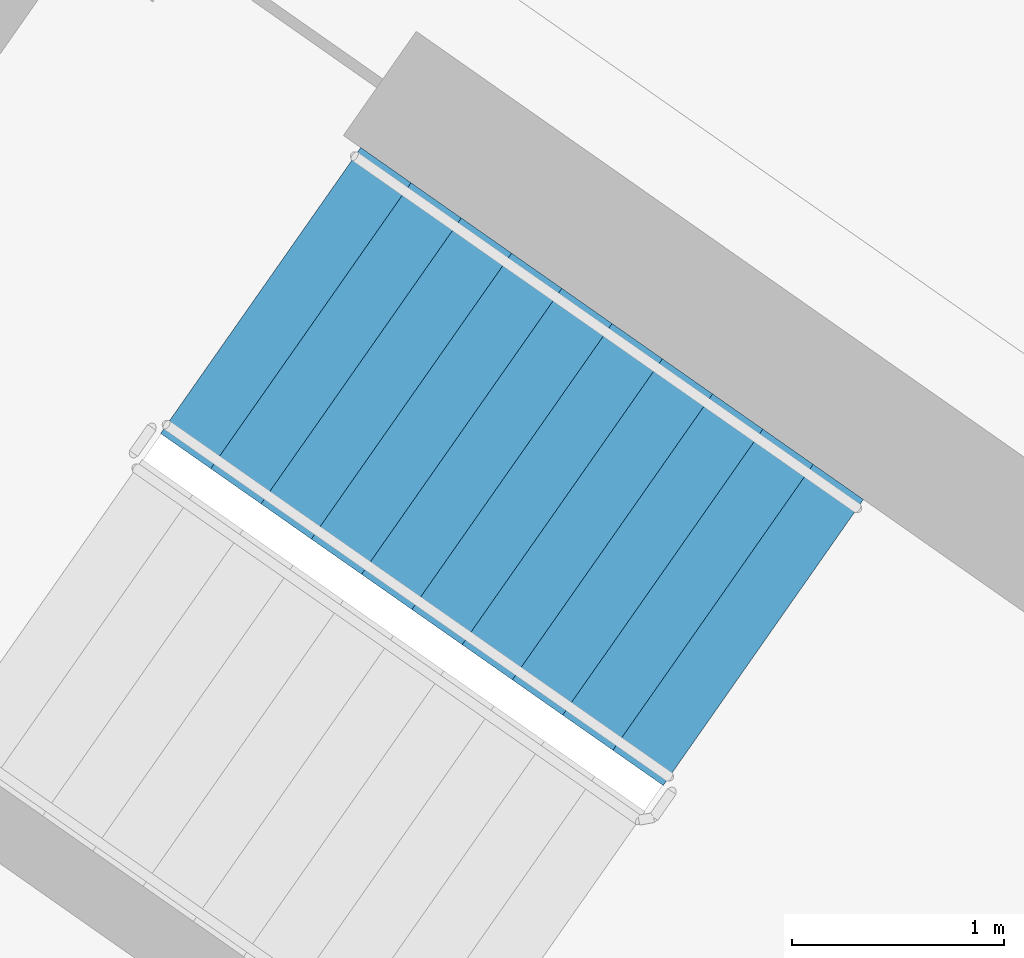
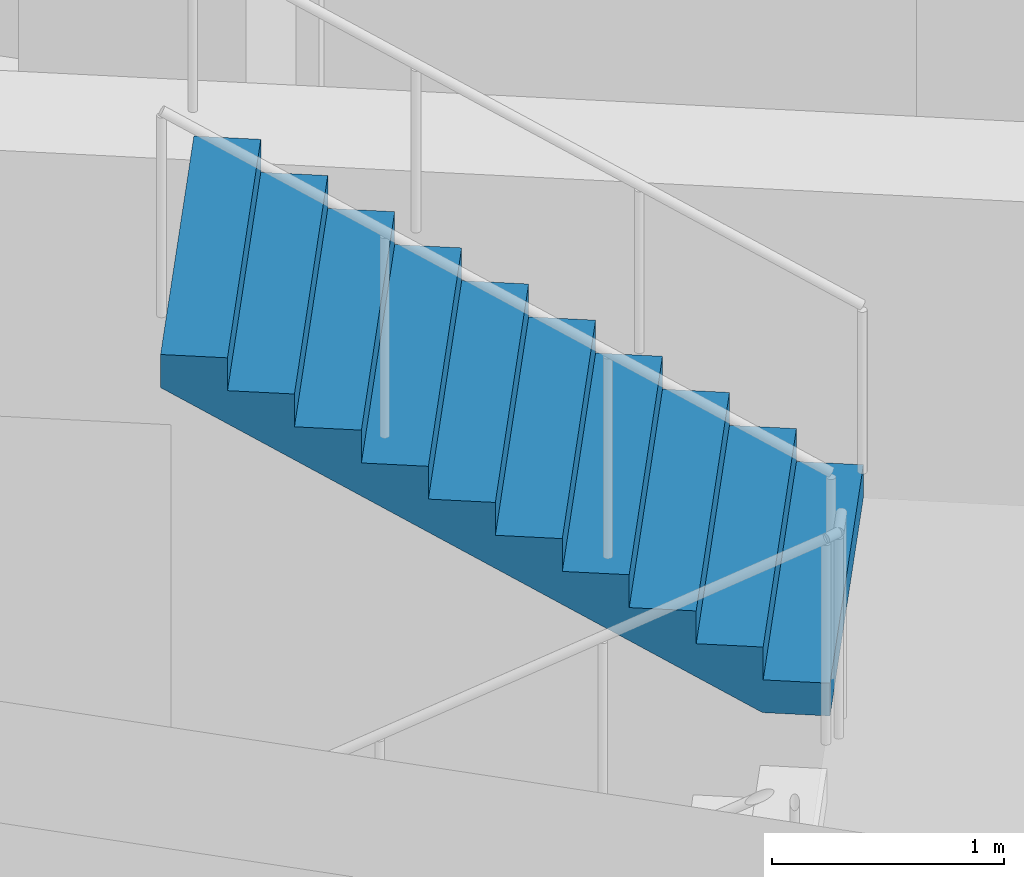
# One storey, part 12 of 28: 1 stair flight, 1 element without a shape of its own.
"""IFC4 building model written with IfcOpenShell, lengths in metres."""

import ifcopenshell
import ifcopenshell.guid

model = None  # the IFC model being written
_history = None  # IfcOwnerHistory: only IFC2X3 demands one
_inside = {}  # id of a spatial element -> (the spatial element, [elements in it])
_under = {}  # id of a project, library or spatial element -> (it, [spatial elements below it])
_declared = {}  # id of a project -> (the project, [libraries it declares])
_typed = {}  # id of a type object -> (the type object, [elements of that type])
_made_of = {}  # id of a material, layer set ... -> (it, [elements and type objects made of it])


def new_model(schema):
    """Start an empty IFC model of exactly this schema.

    Asked for "IFC4X3", IfcOpenShell would pick the latest addendum, in which some entities
    have other attributes; the version numbers below select the first issue.
    IFC2X3 requires an IfcOwnerHistory on every rooted entity: one is made here for all.
    """
    global model, _history
    if schema == "IFC4X3":
        model = ifcopenshell.file(schema_version=(4, 3, 0, 0))
    else:
        model = ifcopenshell.file(schema=schema)
    _inside.clear()
    _under.clear()
    _declared.clear()
    _typed.clear()
    _made_of.clear()
    _history = None
    if model.schema == "IFC2X3":
        org = make("IfcOrganization", Name="unknown")
        user = make(
            "IfcPersonAndOrganization",
            ThePerson=make("IfcPerson", FamilyName="unknown"),
            TheOrganization=org,
        )
        app = make(
            "IfcApplication",
            ApplicationDeveloper=org,
            Version="unknown",
            ApplicationFullName="unknown",
            ApplicationIdentifier="unknown",
        )
        _history = make(
            "IfcOwnerHistory",
            OwningUser=user,
            OwningApplication=app,
            ChangeAction="ADDED",
            CreationDate=0,
        )
    return model


def make(cls, **values):
    """One entity of the class cls with the attributes given. An attribute that is None is left unset."""
    return model.create_entity(
        cls, **{name: value for name, value in values.items() if value is not None}
    )


def rooted(cls, **values):
    """An entity with a GlobalId (a new one), such as an element, a storey or a relation."""
    return make(cls, GlobalId=ifcopenshell.guid.new(), OwnerHistory=_history, **values)


def si_unit(unit_type, name, prefix=None):
    """IfcSIUnit, for example si_unit("LENGTHUNIT", "METRE", prefix="MILLI")."""
    return make("IfcSIUnit", UnitType=unit_type, Prefix=prefix, Name=name)


def assignment(units):
    """IfcUnitAssignment: the units of a project."""
    return None if units is None else make("IfcUnitAssignment", Units=units)


def point(xyz):
    """IfcCartesianPoint."""
    return None if xyz is None else make("IfcCartesianPoint", Coordinates=xyz)


def direction(xyz):
    """IfcDirection."""
    return None if xyz is None else make("IfcDirection", DirectionRatios=xyz)


def frame(location, z_axis=None, x_axis=None):
    """IfcAxis2Placement3D, a coordinate frame: its origin and axes. An axis left out is left unset."""
    return make(
        "IfcAxis2Placement3D",
        Location=point(location),
        Axis=direction(z_axis),
        RefDirection=direction(x_axis),
    )


def origin():
    """The frame at (0, 0, 0) with its axes left unset."""
    return frame((0.0, 0.0, 0.0))


def place(relative_to, where):
    """IfcLocalPlacement: puts the frame where relative to a parent placement (None: the world)."""
    return make(
        "IfcLocalPlacement", PlacementRelTo=relative_to, RelativePlacement=where
    )


def context(
    kind, dimensions, precision=None, world=None, true_north=None, identifier=None
):
    """IfcGeometricRepresentationContext, for example the 3D "Model" context."""
    return make(
        "IfcGeometricRepresentationContext",
        ContextIdentifier=identifier,
        ContextType=kind,
        CoordinateSpaceDimension=dimensions,
        Precision=precision,
        WorldCoordinateSystem=world,
        TrueNorth=true_north,
    )


def subcontext(parent, identifier, kind, view, scale=None):
    """IfcGeometricRepresentationSubContext, for example "Body" below "Model"."""
    return make(
        "IfcGeometricRepresentationSubContext",
        ContextIdentifier=identifier,
        ContextType=kind,
        ParentContext=parent,
        TargetScale=scale,
        TargetView=view,
    )


def project(units=None, contexts=None):
    """IfcProject with its units and contexts."""
    return rooted(
        "IfcProject",
        Name="project",
        RepresentationContexts=contexts,
        UnitsInContext=assignment(units),
    )


def spatial(cls, under=None, at=None, **own):
    """A site, building, storey or space (cls), placed at a placement, below another one or the project."""
    s = rooted(cls, ObjectPlacement=at, **own)
    if under is not None:
        _under.setdefault(under.id(), (under, []))[1].append(s)
    return s


def faces_of(points, faces, orient=None, outer=None):
    """IfcFace entities. A face is a list of loops; a loop is a list of indices into points, from 0.

    orient and outer hold one flag for each loop. By default every Orientation is true, the
    first loop of a face is its IfcFaceOuterBound and the others are IfcFaceBound.
    """
    made = []
    for i, loops in enumerate(faces):
        bounds = []
        for j, loop in enumerate(loops):
            is_outer = j == 0 if outer is None else outer[i][j]
            bounds.append(
                make(
                    "IfcFaceOuterBound" if is_outer else "IfcFaceBound",
                    Bound=make("IfcPolyLoop", Polygon=[points[k] for k in loop]),
                    Orientation=True if orient is None else orient[i][j],
                )
            )
        made.append(make("IfcFace", Bounds=bounds))
    return made


def faceted_brep(points, faces, orient=None, outer=None, voids=None):
    """IfcFacetedBrep: a solid bounded by flat faces; with voids (closed shells), ...WithVoids."""
    shared = [point(p) for p in points]
    hull = make("IfcClosedShell", CfsFaces=faces_of(shared, faces, orient, outer))
    if voids is None:
        return make("IfcFacetedBrep", Outer=hull)
    return make(
        "IfcFacetedBrepWithVoids",
        Outer=hull,
        Voids=[
            make(cls, CfsFaces=faces_of(shared, fs, o, b)) for cls, fs, o, b in voids
        ],
    )


def shape(context_of_items, identifier, shape_type, items):
    """IfcShapeRepresentation: the items that make up one representation, for example the "Body"."""
    return make(
        "IfcShapeRepresentation",
        ContextOfItems=context_of_items,
        RepresentationIdentifier=identifier,
        RepresentationType=shape_type,
        Items=items,
    )


def material(Name=None, Category=None):
    """IfcMaterial."""
    return make("IfcMaterial", Name=Name, Category=Category)


def made_of(thing, what):
    """Note that an element or type object is made of a material, layer set ...; save() writes the relation."""
    if what is not None:
        _made_of.setdefault(what.id(), (what, []))[1].append(thing)
    return thing


def type_object(cls, material=None, **own):
    """A type object (cls), such as IfcWallType, which elements share."""
    return made_of(rooted(cls, **own), material)


def element(
    cls,
    number,
    at=None,
    inside=None,
    cuts=None,
    type_object=None,
    material=None,
    context=None,
    identifier="Body",
    shape_type=None,
    held_by="IfcProductDefinitionShape",
    body=None,
    shapes=None,
    **own,
):
    """One element of the class cls, such as IfcWall. Its Tag is "e" and its number.

    at: its placement. inside: the storey or other place that contains it. cuts: it is an
    opening in that element (IfcRelVoidsElement). A single representation is given by context,
    identifier, shape_type and body (its items); several are given by shapes. held_by: the class
    of the entity that holds the representations. save() writes the other relations.
    """
    e = rooted(cls, Tag="e%d" % number, ObjectPlacement=at, **own)
    if body is not None:
        shapes = [shape(context, identifier, shape_type, body)]
    if shapes is not None:
        e.Representation = make(held_by, Representations=shapes)
    if inside is not None:
        _inside.setdefault(inside.id(), (inside, []))[1].append(e)
    if cuts is not None:
        rooted(
            "IfcRelVoidsElement", RelatingBuildingElement=cuts, RelatedOpeningElement=e
        )
    if type_object is not None:
        _typed.setdefault(type_object.id(), (type_object, []))[1].append(e)
    return made_of(e, material)


def aggregate(whole, parts):
    """IfcRelAggregates: a whole, such as a stair, and the parts it consists of."""
    return rooted("IfcRelAggregates", RelatingObject=whole, RelatedObjects=parts)


def save(model, path):
    """Write the relations noted so far, then the file.

    IfcRelAggregates (storeys below a building ...), IfcRelContainedInSpatialStructure (elements
    in a storey), IfcRelDefinesByType, IfcRelAssociatesMaterial and IfcRelDeclares: one each for
    every whole, place, type object, material and project.
    """
    for whole, parts in _under.values():
        aggregate(whole, parts)
    for where, things in _inside.values():
        rooted(
            "IfcRelContainedInSpatialStructure",
            RelatedElements=things,
            RelatingStructure=where,
        )
    for kind, things in _typed.values():
        rooted("IfcRelDefinesByType", RelatedObjects=things, RelatingType=kind)
    for what, things in _made_of.values():
        rooted("IfcRelAssociatesMaterial", RelatedObjects=things, RelatingMaterial=what)
    for by, libraries in _declared.values():
        rooted("IfcRelDeclares", RelatingContext=by, RelatedDefinitions=libraries)
    model.write(path)


model = new_model("IFC4")

# Units and contexts
model_context = context("Model", 3, precision=1e-05, world=origin(), true_north=direction((0.0, 1.0)))
body_context = subcontext(model_context, "Body", "Model", "MODEL_VIEW")
ifc_project = project(units=[si_unit("LENGTHUNIT", "METRE"), si_unit("AREAUNIT", "SQUARE_METRE"), si_unit("VOLUMEUNIT", "CUBIC_METRE"), si_unit("PLANEANGLEUNIT", "RADIAN"), si_unit("MASSUNIT", "GRAM", prefix="KILO")], contexts=[model_context])

# Site, building, storey
site_placement = place(None, origin())
site = spatial("IfcSite", under=ifc_project, at=site_placement, CompositionType="ELEMENT")
building_placement = place(site_placement, origin())
building = spatial("IfcBuilding", under=site, at=building_placement, Name="Qamariyya Broadcast Tower", CompositionType="ELEMENT")
storey_placement = place(building_placement, frame((0.0, 0.0, 226.5)))
storey = spatial("IfcBuildingStorey", under=building, at=storey_placement, Name="L54", CompositionType="ELEMENT", Elevation=226.5)

# Stair, stair flight
ifc_material = material(Name="Concrete C50/60", Category="concrete")
stair_type = type_object("IfcStairType", Name="Exit stair 22 risers of 173 mm", PredefinedType="HALF_TURN_STAIR", material=ifc_material)
stair_placement = place(storey_placement, origin())
stair = element("IfcStair", 1, at=stair_placement, inside=storey, type_object=stair_type, Name="L54 Stair W2", PredefinedType="HALF_TURN_STAIR")
stair_flight_type = type_object("IfcStairFlightType", Name="Exit stair flight 11 risers of 173 mm", PredefinedType="STRAIGHT", material=ifc_material)
stair_flight_placement = place(storey_placement, frame((-38.18310546875, -49.3486328125, 1.89990234375), z_axis=(0.0, 0.0, 1.0), x_axis=(-0.819152044289, 0.573576436351, 0.0)))
stair_flight = element("IfcStairFlight", 2, at=stair_flight_placement, type_object=stair_flight_type, Name="ST-W2 flight 2", NumberOfRisers=11, NumberOfTreads=10, PredefinedType="STRAIGHT", RiserHeight=0.172727273, TreadLength=0.29, context=body_context, shape_type="Brep", body=[
    faceted_brep([(0.0, 0.824951171875, 0.0), (0.0, 0.824951171875, 0.172607421875), (0.2900390625, 0.824951171875, 0.172607421875), (0.2900390625, 0.824951171875, 0.345458984375), (0.580078125, 0.824951171875, 0.345458984375), (0.580078125, 0.824951171875, 0.51806640625), (0.8701171875, 0.824951171875, 0.51806640625), (0.8701171875, 0.824951171875, 0.69091796875), (1.159912109375, 0.824951171875, 0.69091796875), (1.159912109375, 0.824951171875, 0.863525390625), (1.449951171875, 0.824951171875, 0.863525390625), (1.449951171875, 0.824951171875, 1.036376953125), (1.739990234375, 0.824951171875, 1.036376953125), (1.739990234375, 0.824951171875, 1.208984375), (2.030029296875, 0.824951171875, 1.208984375), (2.030029296875, 0.824951171875, 1.3818359375), (2.320068359375, 0.824951171875, 1.3818359375), (2.320068359375, 0.824951171875, 1.554443359375), (2.610107421875, 0.824951171875, 1.554443359375), (2.610107421875, 0.824951171875, 1.727294921875), (2.89990234375, 0.824951171875, 1.727294921875), (2.89990234375, 0.824951171875, 1.552734375), (0.29296875, 0.824951171875, 0.0), (0.29296875, -0.824951171875, 0.0), (2.89990234375, -0.824951171875, 1.552734375), (2.89990234375, -0.824951171875, 1.727294921875), (2.610107421875, -0.824951171875, 1.727294921875), (2.610107421875, -0.824951171875, 1.554443359375), (2.320068359375, -0.824951171875, 1.554443359375), (2.320068359375, -0.824951171875, 1.3818359375), (2.030029296875, -0.824951171875, 1.3818359375), (2.030029296875, -0.824951171875, 1.208984375), (1.739990234375, -0.824951171875, 1.208984375), (1.739990234375, -0.824951171875, 1.036376953125), (1.449951171875, -0.824951171875, 1.036376953125), (1.449951171875, -0.824951171875, 0.863525390625), (1.159912109375, -0.824951171875, 0.863525390625), (1.159912109375, -0.824951171875, 0.69091796875), (0.8701171875, -0.824951171875, 0.69091796875), (0.8701171875, -0.824951171875, 0.51806640625), (0.580078125, -0.824951171875, 0.51806640625), (0.580078125, -0.824951171875, 0.345458984375), (0.2900390625, -0.824951171875, 0.345458984375), (0.2900390625, -0.824951171875, 0.172607421875), (0.0, -0.824951171875, 0.172607421875), (0.0, -0.824951171875, 0.0), (0.0, 0.10009765625, 0.0), (0.0, 0.086669921875, 0.0), (0.0, 0.0732421875, 0.0), (0.0, 0.06005859375, 0.0), (0.0, 0.046630859375, 0.0), (0.0, 0.033447265625, 0.0), (0.0, 0.02001953125, 0.0), (0.0, 0.006591796875, 0.0), (0.0, -0.006591796875, 0.0), (0.0, -0.02001953125, 0.0), (0.0, -0.033447265625, 0.0), (0.0, -0.046630859375, 0.0), (0.0, -0.06005859375, 0.0), (0.0, -0.0732421875, 0.0), (0.0, -0.086669921875, 0.0), (0.0, -0.10009765625, 0.0), (0.0, -0.10009765625, 0.172607421875), (0.0, -0.086669921875, 0.172607421875), (0.0, -0.0732421875, 0.172607421875), (0.0, -0.06005859375, 0.172607421875), (0.0, -0.046630859375, 0.172607421875), (0.0, -0.033447265625, 0.172607421875), (0.0, -0.02001953125, 0.172607421875), (0.0, -0.006591796875, 0.172607421875), (0.0, 0.006591796875, 0.172607421875), (0.0, 0.02001953125, 0.172607421875), (0.0, 0.033447265625, 0.172607421875), (0.0, 0.046630859375, 0.172607421875), (0.0, 0.06005859375, 0.172607421875), (0.0, 0.0732421875, 0.172607421875), (0.0, 0.086669921875, 0.172607421875), (0.0, 0.10009765625, 0.172607421875), (0.2900390625, -0.10009765625, 0.172607421875), (0.2900390625, -0.086669921875, 0.172607421875), (0.2900390625, -0.0732421875, 0.172607421875), (0.2900390625, -0.06005859375, 0.172607421875), (0.2900390625, -0.046630859375, 0.172607421875), (0.2900390625, -0.033447265625, 0.172607421875), (0.2900390625, -0.02001953125, 0.172607421875), (0.2900390625, -0.006591796875, 0.172607421875), (0.2900390625, 0.006591796875, 0.172607421875), (0.2900390625, 0.02001953125, 0.172607421875), (0.2900390625, 0.033447265625, 0.172607421875), (0.2900390625, 0.046630859375, 0.172607421875), (0.2900390625, 0.06005859375, 0.172607421875), (0.2900390625, 0.0732421875, 0.172607421875), (0.2900390625, 0.086669921875, 0.172607421875), (0.2900390625, 0.10009765625, 0.172607421875), (0.2900390625, -0.10009765625, 0.345458984375), (0.2900390625, -0.086669921875, 0.345458984375), (0.2900390625, -0.0732421875, 0.345458984375), (0.2900390625, -0.06005859375, 0.345458984375), (0.2900390625, -0.046630859375, 0.345458984375), (0.2900390625, -0.033447265625, 0.345458984375), (0.2900390625, -0.02001953125, 0.345458984375), (0.2900390625, -0.006591796875, 0.345458984375), (0.2900390625, 0.006591796875, 0.345458984375), (0.2900390625, 0.02001953125, 0.345458984375), (0.2900390625, 0.033447265625, 0.345458984375), (0.2900390625, 0.046630859375, 0.345458984375), (0.2900390625, 0.06005859375, 0.345458984375), (0.2900390625, 0.0732421875, 0.345458984375), (0.2900390625, 0.086669921875, 0.345458984375), (0.2900390625, 0.10009765625, 0.345458984375), (0.580078125, -0.10009765625, 0.345458984375), (0.580078125, -0.086669921875, 0.345458984375), (0.580078125, -0.0732421875, 0.345458984375), (0.580078125, -0.06005859375, 0.345458984375), (0.580078125, -0.046630859375, 0.345458984375), (0.580078125, -0.033447265625, 0.345458984375), (0.580078125, -0.02001953125, 0.345458984375), (0.580078125, -0.006591796875, 0.345458984375), (0.580078125, 0.006591796875, 0.345458984375), (0.580078125, 0.02001953125, 0.345458984375), (0.580078125, 0.033447265625, 0.345458984375), (0.580078125, 0.046630859375, 0.345458984375), (0.580078125, 0.06005859375, 0.345458984375), (0.580078125, 0.0732421875, 0.345458984375), (0.580078125, 0.086669921875, 0.345458984375), (0.580078125, 0.10009765625, 0.345458984375), (0.580078125, -0.10009765625, 0.51806640625), (0.580078125, -0.086669921875, 0.51806640625), (0.580078125, -0.0732421875, 0.51806640625), (0.580078125, -0.06005859375, 0.51806640625), (0.580078125, -0.046630859375, 0.51806640625), (0.580078125, -0.033447265625, 0.51806640625), (0.580078125, -0.02001953125, 0.51806640625), (0.580078125, -0.006591796875, 0.51806640625), (0.580078125, 0.006591796875, 0.51806640625), (0.580078125, 0.02001953125, 0.51806640625), (0.580078125, 0.033447265625, 0.51806640625), (0.580078125, 0.046630859375, 0.51806640625), (0.580078125, 0.06005859375, 0.51806640625), (0.580078125, 0.0732421875, 0.51806640625), (0.580078125, 0.086669921875, 0.51806640625), (0.580078125, 0.10009765625, 0.51806640625), (0.8701171875, -0.10009765625, 0.51806640625), (0.8701171875, -0.086669921875, 0.51806640625), (0.8701171875, -0.0732421875, 0.51806640625), (0.8701171875, -0.06005859375, 0.51806640625), (0.8701171875, -0.046630859375, 0.51806640625), (0.8701171875, -0.033447265625, 0.51806640625), (0.8701171875, -0.02001953125, 0.51806640625), (0.8701171875, -0.006591796875, 0.51806640625), (0.8701171875, 0.006591796875, 0.51806640625), (0.8701171875, 0.02001953125, 0.51806640625), (0.8701171875, 0.033447265625, 0.51806640625), (0.8701171875, 0.046630859375, 0.51806640625), (0.8701171875, 0.06005859375, 0.51806640625), (0.8701171875, 0.0732421875, 0.51806640625), (0.8701171875, 0.086669921875, 0.51806640625), (0.8701171875, 0.10009765625, 0.51806640625), (0.8701171875, -0.10009765625, 0.69091796875), (0.8701171875, -0.086669921875, 0.69091796875), (0.8701171875, -0.0732421875, 0.69091796875), (0.8701171875, -0.06005859375, 0.69091796875), (0.8701171875, -0.046630859375, 0.69091796875), (0.8701171875, -0.033447265625, 0.69091796875), (0.8701171875, -0.02001953125, 0.69091796875), (0.8701171875, -0.006591796875, 0.69091796875), (0.8701171875, 0.006591796875, 0.69091796875), (0.8701171875, 0.02001953125, 0.69091796875), (0.8701171875, 0.033447265625, 0.69091796875), (0.8701171875, 0.046630859375, 0.69091796875), (0.8701171875, 0.06005859375, 0.69091796875), (0.8701171875, 0.0732421875, 0.69091796875), (0.8701171875, 0.086669921875, 0.69091796875), (0.8701171875, 0.10009765625, 0.69091796875), (1.159912109375, -0.10009765625, 0.69091796875), (1.159912109375, -0.086669921875, 0.69091796875), (1.159912109375, -0.0732421875, 0.69091796875), (1.159912109375, -0.06005859375, 0.69091796875), (1.159912109375, -0.046630859375, 0.69091796875), (1.159912109375, -0.033447265625, 0.69091796875), (1.159912109375, -0.02001953125, 0.69091796875), (1.159912109375, -0.006591796875, 0.69091796875), (1.159912109375, 0.006591796875, 0.69091796875), (1.159912109375, 0.02001953125, 0.69091796875), (1.159912109375, 0.033447265625, 0.69091796875), (1.159912109375, 0.046630859375, 0.69091796875), (1.159912109375, 0.06005859375, 0.69091796875), (1.159912109375, 0.0732421875, 0.69091796875), (1.159912109375, 0.086669921875, 0.69091796875), (1.159912109375, 0.10009765625, 0.69091796875), (1.159912109375, -0.10009765625, 0.863525390625), (1.159912109375, -0.086669921875, 0.863525390625), (1.159912109375, -0.0732421875, 0.863525390625), (1.159912109375, -0.06005859375, 0.863525390625), (1.159912109375, -0.046630859375, 0.863525390625), (1.159912109375, -0.033447265625, 0.863525390625), (1.159912109375, -0.02001953125, 0.863525390625), (1.159912109375, -0.006591796875, 0.863525390625), (1.159912109375, 0.006591796875, 0.863525390625), (1.159912109375, 0.02001953125, 0.863525390625), (1.159912109375, 0.033447265625, 0.863525390625), (1.159912109375, 0.046630859375, 0.863525390625), (1.159912109375, 0.06005859375, 0.863525390625), (1.159912109375, 0.0732421875, 0.863525390625), (1.159912109375, 0.086669921875, 0.863525390625), (1.159912109375, 0.10009765625, 0.863525390625), (1.449951171875, -0.10009765625, 0.863525390625), (1.449951171875, -0.086669921875, 0.863525390625), (1.449951171875, -0.0732421875, 0.863525390625), (1.449951171875, -0.06005859375, 0.863525390625), (1.449951171875, -0.046630859375, 0.863525390625), (1.449951171875, -0.033447265625, 0.863525390625), (1.449951171875, -0.02001953125, 0.863525390625), (1.449951171875, -0.006591796875, 0.863525390625), (1.449951171875, 0.006591796875, 0.863525390625), (1.449951171875, 0.02001953125, 0.863525390625), (1.449951171875, 0.033447265625, 0.863525390625), (1.449951171875, 0.046630859375, 0.863525390625), (1.449951171875, 0.06005859375, 0.863525390625), (1.449951171875, 0.0732421875, 0.863525390625), (1.449951171875, 0.086669921875, 0.863525390625), (1.449951171875, 0.10009765625, 0.863525390625), (1.449951171875, -0.10009765625, 1.036376953125), (1.449951171875, -0.086669921875, 1.036376953125), (1.449951171875, -0.0732421875, 1.036376953125), (1.449951171875, -0.06005859375, 1.036376953125), (1.449951171875, -0.046630859375, 1.036376953125), (1.449951171875, -0.033447265625, 1.036376953125), (1.449951171875, -0.02001953125, 1.036376953125), (1.449951171875, -0.006591796875, 1.036376953125), (1.449951171875, 0.006591796875, 1.036376953125), (1.449951171875, 0.02001953125, 1.036376953125), (1.449951171875, 0.033447265625, 1.036376953125), (1.449951171875, 0.046630859375, 1.036376953125), (1.449951171875, 0.06005859375, 1.036376953125), (1.449951171875, 0.0732421875, 1.036376953125), (1.449951171875, 0.086669921875, 1.036376953125), (1.449951171875, 0.10009765625, 1.036376953125), (1.739990234375, -0.10009765625, 1.036376953125), (1.739990234375, -0.086669921875, 1.036376953125), (1.739990234375, -0.0732421875, 1.036376953125), (1.739990234375, -0.06005859375, 1.036376953125), (1.739990234375, -0.046630859375, 1.036376953125), (1.739990234375, -0.033447265625, 1.036376953125), (1.739990234375, -0.02001953125, 1.036376953125), (1.739990234375, -0.006591796875, 1.036376953125), (1.739990234375, 0.006591796875, 1.036376953125), (1.739990234375, 0.02001953125, 1.036376953125), (1.739990234375, 0.033447265625, 1.036376953125), (1.739990234375, 0.046630859375, 1.036376953125), (1.739990234375, 0.06005859375, 1.036376953125), (1.739990234375, 0.0732421875, 1.036376953125), (1.739990234375, 0.086669921875, 1.036376953125), (1.739990234375, 0.10009765625, 1.036376953125), (1.739990234375, -0.10009765625, 1.208984375), (1.739990234375, -0.086669921875, 1.208984375), (1.739990234375, -0.0732421875, 1.208984375), (1.739990234375, -0.06005859375, 1.208984375), (1.739990234375, -0.046630859375, 1.208984375), (1.739990234375, -0.033447265625, 1.208984375), (1.739990234375, -0.02001953125, 1.208984375), (1.739990234375, -0.006591796875, 1.208984375), (1.739990234375, 0.006591796875, 1.208984375), (1.739990234375, 0.02001953125, 1.208984375), (1.739990234375, 0.033447265625, 1.208984375), (1.739990234375, 0.046630859375, 1.208984375), (1.739990234375, 0.06005859375, 1.208984375), (1.739990234375, 0.0732421875, 1.208984375), (1.739990234375, 0.086669921875, 1.208984375), (1.739990234375, 0.10009765625, 1.208984375), (2.030029296875, -0.10009765625, 1.208984375), (2.030029296875, -0.086669921875, 1.208984375), (2.030029296875, -0.0732421875, 1.208984375), (2.030029296875, -0.06005859375, 1.208984375), (2.030029296875, -0.046630859375, 1.208984375), (2.030029296875, -0.033447265625, 1.208984375), (2.030029296875, -0.02001953125, 1.208984375), (2.030029296875, -0.006591796875, 1.208984375), (2.030029296875, 0.006591796875, 1.208984375), (2.030029296875, 0.02001953125, 1.208984375), (2.030029296875, 0.033447265625, 1.208984375), (2.030029296875, 0.046630859375, 1.208984375), (2.030029296875, 0.06005859375, 1.208984375), (2.030029296875, 0.0732421875, 1.208984375), (2.030029296875, 0.086669921875, 1.208984375), (2.030029296875, 0.10009765625, 1.208984375), (2.030029296875, -0.10009765625, 1.3818359375), (2.030029296875, -0.086669921875, 1.3818359375), (2.030029296875, -0.0732421875, 1.3818359375), (2.030029296875, -0.06005859375, 1.3818359375), (2.030029296875, -0.046630859375, 1.3818359375), (2.030029296875, -0.033447265625, 1.3818359375), (2.030029296875, -0.02001953125, 1.3818359375), (2.030029296875, -0.006591796875, 1.3818359375), (2.030029296875, 0.006591796875, 1.3818359375), (2.030029296875, 0.02001953125, 1.3818359375), (2.030029296875, 0.033447265625, 1.3818359375), (2.030029296875, 0.046630859375, 1.3818359375), (2.030029296875, 0.06005859375, 1.3818359375), (2.030029296875, 0.0732421875, 1.3818359375), (2.030029296875, 0.086669921875, 1.3818359375), (2.030029296875, 0.10009765625, 1.3818359375), (2.320068359375, -0.10009765625, 1.3818359375), (2.320068359375, -0.086669921875, 1.3818359375), (2.320068359375, -0.0732421875, 1.3818359375), (2.320068359375, -0.06005859375, 1.3818359375), (2.320068359375, -0.046630859375, 1.3818359375), (2.320068359375, -0.033447265625, 1.3818359375), (2.320068359375, -0.02001953125, 1.3818359375), (2.320068359375, -0.006591796875, 1.3818359375), (2.320068359375, 0.006591796875, 1.3818359375), (2.320068359375, 0.02001953125, 1.3818359375), (2.320068359375, 0.033447265625, 1.3818359375), (2.320068359375, 0.046630859375, 1.3818359375), (2.320068359375, 0.06005859375, 1.3818359375), (2.320068359375, 0.0732421875, 1.3818359375), (2.320068359375, 0.086669921875, 1.3818359375), (2.320068359375, 0.10009765625, 1.3818359375), (2.320068359375, -0.10009765625, 1.554443359375), (2.320068359375, -0.086669921875, 1.554443359375), (2.320068359375, -0.0732421875, 1.554443359375), (2.320068359375, -0.06005859375, 1.554443359375), (2.320068359375, -0.046630859375, 1.554443359375), (2.320068359375, -0.033447265625, 1.554443359375), (2.320068359375, -0.02001953125, 1.554443359375), (2.320068359375, -0.006591796875, 1.554443359375), (2.320068359375, 0.006591796875, 1.554443359375), (2.320068359375, 0.02001953125, 1.554443359375), (2.320068359375, 0.033447265625, 1.554443359375), (2.320068359375, 0.046630859375, 1.554443359375), (2.320068359375, 0.06005859375, 1.554443359375), (2.320068359375, 0.0732421875, 1.554443359375), (2.320068359375, 0.086669921875, 1.554443359375), (2.320068359375, 0.10009765625, 1.554443359375), (2.610107421875, -0.10009765625, 1.554443359375), (2.610107421875, -0.086669921875, 1.554443359375), (2.610107421875, -0.0732421875, 1.554443359375), (2.610107421875, -0.06005859375, 1.554443359375), (2.610107421875, -0.046630859375, 1.554443359375), (2.610107421875, -0.033447265625, 1.554443359375), (2.610107421875, -0.02001953125, 1.554443359375), (2.610107421875, -0.006591796875, 1.554443359375), (2.610107421875, 0.006591796875, 1.554443359375), (2.610107421875, 0.02001953125, 1.554443359375), (2.610107421875, 0.033447265625, 1.554443359375), (2.610107421875, 0.046630859375, 1.554443359375), (2.610107421875, 0.06005859375, 1.554443359375), (2.610107421875, 0.0732421875, 1.554443359375), (2.610107421875, 0.086669921875, 1.554443359375), (2.610107421875, 0.10009765625, 1.554443359375), (2.610107421875, -0.10009765625, 1.727294921875), (2.610107421875, -0.086669921875, 1.727294921875), (2.610107421875, -0.0732421875, 1.727294921875), (2.610107421875, -0.06005859375, 1.727294921875), (2.610107421875, -0.046630859375, 1.727294921875), (2.610107421875, -0.033447265625, 1.727294921875), (2.610107421875, -0.02001953125, 1.727294921875), (2.610107421875, -0.006591796875, 1.727294921875), (2.610107421875, 0.006591796875, 1.727294921875), (2.610107421875, 0.02001953125, 1.727294921875), (2.610107421875, 0.033447265625, 1.727294921875), (2.610107421875, 0.046630859375, 1.727294921875), (2.610107421875, 0.06005859375, 1.727294921875), (2.610107421875, 0.0732421875, 1.727294921875), (2.610107421875, 0.086669921875, 1.727294921875), (2.610107421875, 0.10009765625, 1.727294921875), (2.89990234375, -0.10009765625, 1.727294921875), (2.89990234375, -0.086669921875, 1.727294921875), (2.89990234375, -0.0732421875, 1.727294921875), (2.89990234375, -0.06005859375, 1.727294921875), (2.89990234375, -0.046630859375, 1.727294921875), (2.89990234375, -0.033447265625, 1.727294921875), (2.89990234375, -0.02001953125, 1.727294921875), (2.89990234375, -0.006591796875, 1.727294921875), (2.89990234375, 0.006591796875, 1.727294921875), (2.89990234375, 0.02001953125, 1.727294921875), (2.89990234375, 0.033447265625, 1.727294921875), (2.89990234375, 0.046630859375, 1.727294921875), (2.89990234375, 0.06005859375, 1.727294921875), (2.89990234375, 0.0732421875, 1.727294921875), (2.89990234375, 0.086669921875, 1.727294921875), (2.89990234375, 0.10009765625, 1.727294921875), (2.89990234375, -0.10009765625, 1.552734375), (2.89990234375, -0.086669921875, 1.552734375), (2.89990234375, -0.0732421875, 1.552734375), (2.89990234375, -0.06005859375, 1.552734375), (2.89990234375, -0.046630859375, 1.552734375), (2.89990234375, -0.033447265625, 1.552734375), (2.89990234375, -0.02001953125, 1.552734375), (2.89990234375, -0.006591796875, 1.552734375), (2.89990234375, 0.006591796875, 1.552734375), (2.89990234375, 0.02001953125, 1.552734375), (2.89990234375, 0.033447265625, 1.552734375), (2.89990234375, 0.046630859375, 1.552734375), (2.89990234375, 0.06005859375, 1.552734375), (2.89990234375, 0.0732421875, 1.552734375), (2.89990234375, 0.086669921875, 1.552734375), (2.89990234375, 0.10009765625, 1.552734375), (0.29296875, -0.10009765625, 0.0), (0.29296875, -0.086669921875, 0.0), (0.29296875, -0.0732421875, 0.0), (0.29296875, -0.06005859375, 0.0), (0.29296875, -0.046630859375, 0.0), (0.29296875, -0.033447265625, 0.0), (0.29296875, -0.02001953125, 0.0), (0.29296875, -0.006591796875, 0.0), (0.29296875, 0.006591796875, 0.0), (0.29296875, 0.02001953125, 0.0), (0.29296875, 0.033447265625, 0.0), (0.29296875, 0.046630859375, 0.0), (0.29296875, 0.06005859375, 0.0), (0.29296875, 0.0732421875, 0.0), (0.29296875, 0.086669921875, 0.0), (0.29296875, 0.10009765625, 0.0)], [[[0, 1, 2, 3, 4, 5, 6, 7, 8, 9, 10, 11, 12, 13, 14, 15, 16, 17, 18, 19, 20, 21, 22]], [[23, 24, 25, 26, 27, 28, 29, 30, 31, 32, 33, 34, 35, 36, 37, 38, 39, 40, 41, 42, 43, 44, 45]], [[0, 46, 47, 48, 49, 50, 51, 52, 53, 54, 55, 56, 57, 58, 59, 60, 61, 45, 44, 62, 63, 64, 65, 66, 67, 68, 69, 70, 71, 72, 73, 74, 75, 76, 77, 1]], [[1, 77, 76, 75, 74, 73, 72, 71, 70, 69, 68, 67, 66, 65, 64, 63, 62, 44, 43, 78, 79, 80, 81, 82, 83, 84, 85, 86, 87, 88, 89, 90, 91, 92, 93, 2]], [[2, 93, 92, 91, 90, 89, 88, 87, 86, 85, 84, 83, 82, 81, 80, 79, 78, 43, 42, 94, 95, 96, 97, 98, 99, 100, 101, 102, 103, 104, 105, 106, 107, 108, 109, 3]], [[3, 109, 108, 107, 106, 105, 104, 103, 102, 101, 100, 99, 98, 97, 96, 95, 94, 42, 41, 110, 111, 112, 113, 114, 115, 116, 117, 118, 119, 120, 121, 122, 123, 124, 125, 4]], [[4, 125, 124, 123, 122, 121, 120, 119, 118, 117, 116, 115, 114, 113, 112, 111, 110, 41, 40, 126, 127, 128, 129, 130, 131, 132, 133, 134, 135, 136, 137, 138, 139, 140, 141, 5]], [[5, 141, 140, 139, 138, 137, 136, 135, 134, 133, 132, 131, 130, 129, 128, 127, 126, 40, 39, 142, 143, 144, 145, 146, 147, 148, 149, 150, 151, 152, 153, 154, 155, 156, 157, 6]], [[6, 157, 156, 155, 154, 153, 152, 151, 150, 149, 148, 147, 146, 145, 144, 143, 142, 39, 38, 158, 159, 160, 161, 162, 163, 164, 165, 166, 167, 168, 169, 170, 171, 172, 173, 7]], [[7, 173, 172, 171, 170, 169, 168, 167, 166, 165, 164, 163, 162, 161, 160, 159, 158, 38, 37, 174, 175, 176, 177, 178, 179, 180, 181, 182, 183, 184, 185, 186, 187, 188, 189, 8]], [[8, 189, 188, 187, 186, 185, 184, 183, 182, 181, 180, 179, 178, 177, 176, 175, 174, 37, 36, 190, 191, 192, 193, 194, 195, 196, 197, 198, 199, 200, 201, 202, 203, 204, 205, 9]], [[9, 205, 204, 203, 202, 201, 200, 199, 198, 197, 196, 195, 194, 193, 192, 191, 190, 36, 35, 206, 207, 208, 209, 210, 211, 212, 213, 214, 215, 216, 217, 218, 219, 220, 221, 10]], [[10, 221, 220, 219, 218, 217, 216, 215, 214, 213, 212, 211, 210, 209, 208, 207, 206, 35, 34, 222, 223, 224, 225, 226, 227, 228, 229, 230, 231, 232, 233, 234, 235, 236, 237, 11]], [[11, 237, 236, 235, 234, 233, 232, 231, 230, 229, 228, 227, 226, 225, 224, 223, 222, 34, 33, 238, 239, 240, 241, 242, 243, 244, 245, 246, 247, 248, 249, 250, 251, 252, 253, 12]], [[12, 253, 252, 251, 250, 249, 248, 247, 246, 245, 244, 243, 242, 241, 240, 239, 238, 33, 32, 254, 255, 256, 257, 258, 259, 260, 261, 262, 263, 264, 265, 266, 267, 268, 269, 13]], [[13, 269, 268, 267, 266, 265, 264, 263, 262, 261, 260, 259, 258, 257, 256, 255, 254, 32, 31, 270, 271, 272, 273, 274, 275, 276, 277, 278, 279, 280, 281, 282, 283, 284, 285, 14]], [[14, 285, 284, 283, 282, 281, 280, 279, 278, 277, 276, 275, 274, 273, 272, 271, 270, 31, 30, 286, 287, 288, 289, 290, 291, 292, 293, 294, 295, 296, 297, 298, 299, 300, 301, 15]], [[15, 301, 300, 299, 298, 297, 296, 295, 294, 293, 292, 291, 290, 289, 288, 287, 286, 30, 29, 302, 303, 304, 305, 306, 307, 308, 309, 310, 311, 312, 313, 314, 315, 316, 317, 16]], [[16, 317, 316, 315, 314, 313, 312, 311, 310, 309, 308, 307, 306, 305, 304, 303, 302, 29, 28, 318, 319, 320, 321, 322, 323, 324, 325, 326, 327, 328, 329, 330, 331, 332, 333, 17]], [[17, 333, 332, 331, 330, 329, 328, 327, 326, 325, 324, 323, 322, 321, 320, 319, 318, 28, 27, 334, 335, 336, 337, 338, 339, 340, 341, 342, 343, 344, 345, 346, 347, 348, 349, 18]], [[18, 349, 348, 347, 346, 345, 344, 343, 342, 341, 340, 339, 338, 337, 336, 335, 334, 27, 26, 350, 351, 352, 353, 354, 355, 356, 357, 358, 359, 360, 361, 362, 363, 364, 365, 19]], [[19, 365, 364, 363, 362, 361, 360, 359, 358, 357, 356, 355, 354, 353, 352, 351, 350, 26, 25, 366, 367, 368, 369, 370, 371, 372, 373, 374, 375, 376, 377, 378, 379, 380, 381, 20]], [[20, 381, 380, 379, 378, 377, 376, 375, 374, 373, 372, 371, 370, 369, 368, 367, 366, 25, 24, 382, 383, 384, 385, 386, 387, 388, 389, 390, 391, 392, 393, 394, 395, 396, 397, 21]], [[21, 397, 396, 395, 394, 393, 392, 391, 390, 389, 388, 387, 386, 385, 384, 383, 382, 24, 23, 398, 399, 400, 401, 402, 403, 404, 405, 406, 407, 408, 409, 410, 411, 412, 413, 22]], [[22, 413, 412, 411, 410, 409, 408, 407, 406, 405, 404, 403, 402, 401, 400, 399, 398, 23, 45, 61, 60, 59, 58, 57, 56, 55, 54, 53, 52, 51, 50, 49, 48, 47, 46, 0]]]),
])
aggregate(stair, [stair_flight])

save(model, "model.ifc")
